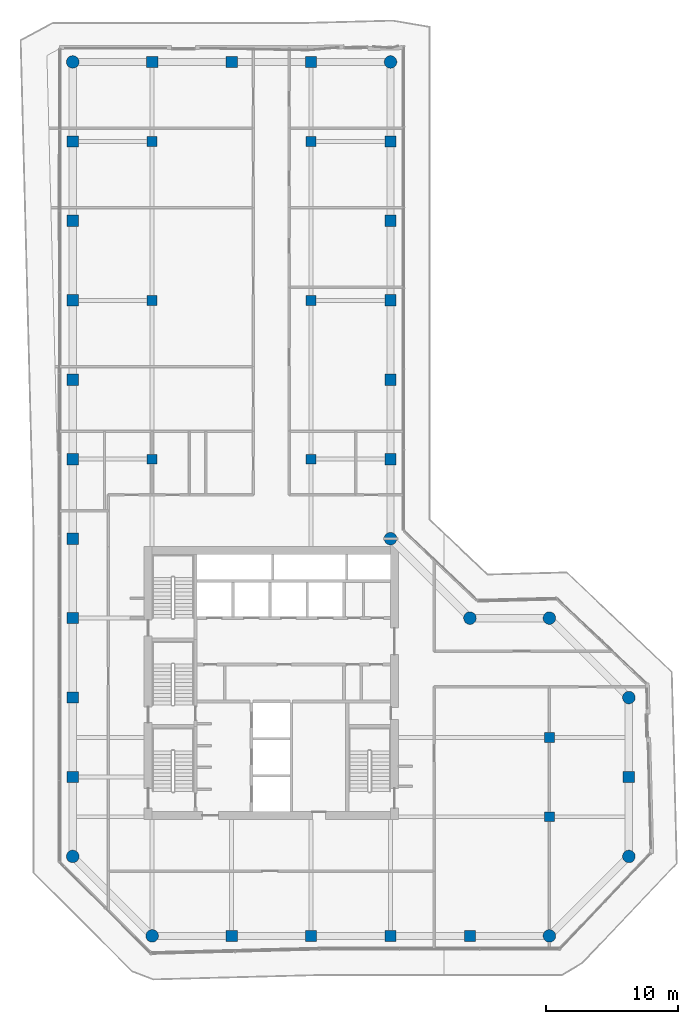
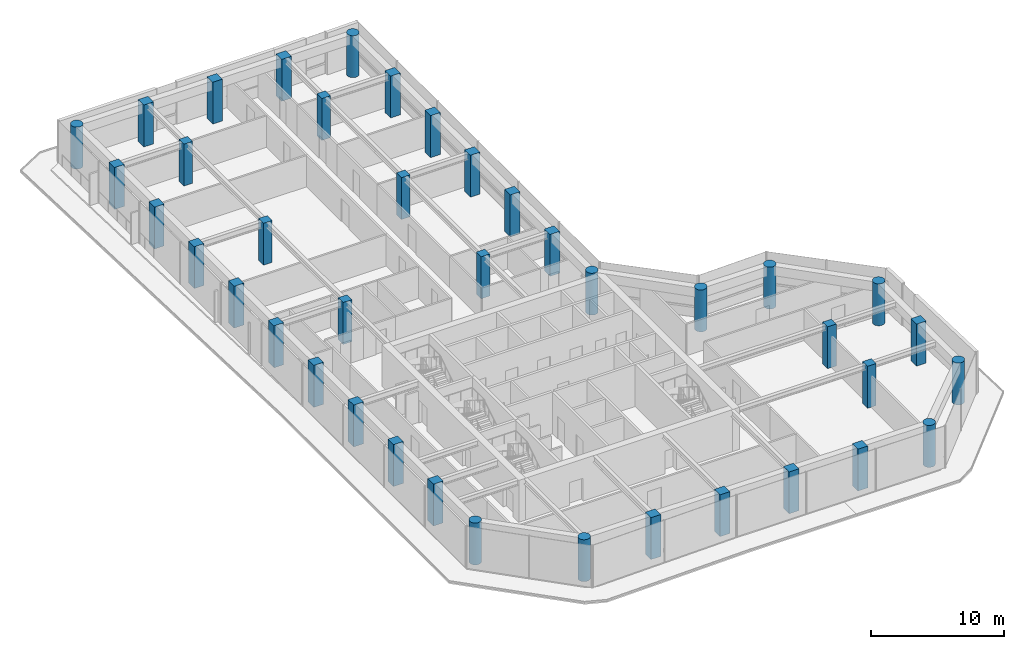
# One storey, part 1 of 20: 40 columns.
"""IFC4 building model written with IfcOpenShell, lengths in metres."""

from ifc_helpers import new_model, si_unit, direction, frame, origin, origin_2d, place, context, subcontext, project, spatial, rectangle, circle, extrude, material, material_profile, profile_set, type_object, element, save


model = new_model("IFC4")

# Units and contexts
model_context = context("Model", 3, precision=1e-05, world=origin(), true_north=direction((0.0, 1.0)))
body_context = subcontext(model_context, "Body", "Model", "MODEL_VIEW")
ifc_project = project(units=[si_unit("LENGTHUNIT", "METRE"), si_unit("AREAUNIT", "SQUARE_METRE"), si_unit("VOLUMEUNIT", "CUBIC_METRE"), si_unit("PLANEANGLEUNIT", "RADIAN"), si_unit("MASSUNIT", "GRAM", prefix="KILO")], contexts=[model_context])

# Site, building, storey
site_placement = place(None, origin())
site = spatial("IfcSite", under=ifc_project, at=site_placement, CompositionType="ELEMENT")
building_placement = place(site_placement, origin())
building = spatial("IfcBuilding", under=site, at=building_placement, Name="Welwitschia Terrace Campus", CompositionType="ELEMENT")
storey_placement = place(building_placement, frame((0.0, 0.0, 176.0)))
storey = spatial("IfcBuildingStorey", under=building, at=storey_placement, Name="L39", CompositionType="ELEMENT", Elevation=176.0)

# Columns
ifc_material_1 = material(Name="Concrete C50/60", Category="concrete")
ifc_material_profile_1 = material_profile(ifc_material_1, circle(Radius=0.47509765625, at=origin_2d()))
ifc_profile_set_1 = profile_set([ifc_material_profile_1], Name="Concrete C50/60")
column_type_1 = type_object("IfcColumnType", Name="Corner column 950 dia", PredefinedType="COLUMN", material=ifc_profile_set_1)
for number, where, z_axis, x_axis, name in (
    (1, (0.0, 2.0, 0.0), (0.0, 0.0, 1.0), (1.0, 0.0, 0.0), "Column C24"),
    (2, (0.0, 62.0, 0.0), (0.0, 0.0, 1.0), (1.0, 0.0, 0.0), "Column C24"),
    (3, (6.0, -4.0, 0.0), (0.0, 0.0, 1.0), (1.0, 0.0, 0.0), "Column C24"),
    (4, (24.0, 26.0, 0.0), (0.0, 0.0, 1.0), (1.0, 0.0, 0.0), "Column C24"),
    (5, (24.0, 62.0, 0.0), (0.0, 0.0, 1.0), (1.0, 0.0, 0.0), "Column C24"),
    (6, (30.0, 20.0, 0.0), (0.0, 0.0, 1.0), (1.0, 0.0, 0.0), "Column C24"),
    (7, (36.0, -4.0, 0.0), (0.0, 0.0, 1.0), (1.0, 0.0, 0.0), "Column C24"),
    (8, (36.0, 20.0, 0.0), (0.0, 0.0, 1.0), (1.0, 0.0, 0.0), "Column C24"),
    (9, (42.0, 2.0, 0.0), (0.0, 0.0, 1.0), (1.0, 0.0, 0.0), "Column C24"),
    (10, (42.0, 14.0, 0.0), (0.0, 0.0, 1.0), (1.0, 0.0, 0.0), "Column C24"),
):
    element("IfcColumn", number, at=place(storey_placement, frame(where, z_axis=z_axis, x_axis=x_axis)), inside=storey, type_object=column_type_1, Name=name, PredefinedType="COLUMN", context=body_context, shape_type="SweptSolid", body=[
        extrude(circle(Radius=0.47509765625, at=origin_2d()), origin(), (0.0, 0.0, 1.0), 3.85009765625),
    ])
ifc_material_2 = material(Name="Concrete C50/60", Category="concrete")
ifc_material_profile_2 = material_profile(ifc_material_2, rectangle(XDim=0.75, YDim=0.75, at=origin_2d()))
ifc_profile_set_2 = profile_set([ifc_material_profile_2], Name="Concrete C50/60")
column_type_2 = type_object("IfcColumnType", Name="Interior column 750x750", PredefinedType="COLUMN", material=ifc_profile_set_2)
for number, where, z_axis, x_axis, name in (
    (11, (6.0, 32.0, 0.0), (0.0, 0.0, 1.0), (1.0, 0.0, 0.0), "Column C25"),
    (12, (6.0, 44.0, 0.0), (0.0, 0.0, 1.0), (1.0, 0.0, 0.0), "Column C25"),
    (13, (6.0, 56.0, 0.0), (0.0, 0.0, 1.0), (1.0, 0.0, 0.0), "Column C25"),
    (14, (18.0, 32.0, 0.0), (0.0, 0.0, 1.0), (1.0, 0.0, 0.0), "Column C25"),
    (15, (18.0, 44.0, 0.0), (0.0, 0.0, 1.0), (1.0, 0.0, 0.0), "Column C25"),
    (16, (18.0, 56.0, 0.0), (0.0, 0.0, 1.0), (1.0, 0.0, 0.0), "Column C25"),
    (17, (36.0, 5.0, 0.0), (0.0, 0.0, 1.0), (1.0, 0.0, 0.0), "Column C25"),
    (18, (36.0, 11.0, 0.0), (0.0, 0.0, 1.0), (1.0, 0.0, 0.0), "Column C25"),
):
    element("IfcColumn", number, at=place(storey_placement, frame(where, z_axis=z_axis, x_axis=x_axis)), inside=storey, type_object=column_type_2, Name=name, PredefinedType="COLUMN", context=body_context, shape_type="SweptSolid", body=[
        extrude(rectangle(XDim=0.75, YDim=0.75, at=origin_2d()), origin(), (0.0, 0.0, 1.0), 3.85009765625),
    ])
ifc_material_3 = material(Name="Concrete C50/60", Category="concrete")
ifc_material_profile_3 = material_profile(ifc_material_3, rectangle(XDim=0.85009765625, YDim=0.85009765625, at=origin_2d()))
ifc_profile_set_3 = profile_set([ifc_material_profile_3], Name="Concrete C50/60")
column_type_3 = type_object("IfcColumnType", Name="Ring column 850x850", PredefinedType="COLUMN", material=ifc_profile_set_3)
for number, where, z_axis, x_axis, name in (
    (19, (0.0, 8.0, 0.0), (0.0, 0.0, 1.0), (1.0, 0.0, 0.0), "Column C23"),
    (20, (0.0, 14.0, 0.0), (0.0, 0.0, 1.0), (1.0, 0.0, 0.0), "Column C23"),
    (21, (0.0, 20.0, 0.0), (0.0, 0.0, 1.0), (1.0, 0.0, 0.0), "Column C23"),
    (22, (0.0, 26.0, 0.0), (0.0, 0.0, 1.0), (1.0, 0.0, 0.0), "Column C23"),
    (23, (0.0, 32.0, 0.0), (0.0, 0.0, 1.0), (1.0, 0.0, 0.0), "Column C23"),
    (24, (0.0, 38.0, 0.0), (0.0, 0.0, 1.0), (1.0, 0.0, 0.0), "Column C23"),
    (25, (0.0, 44.0, 0.0), (0.0, 0.0, 1.0), (1.0, 0.0, 0.0), "Column C23"),
    (26, (0.0, 50.0, 0.0), (0.0, 0.0, 1.0), (1.0, 0.0, 0.0), "Column C23"),
    (27, (0.0, 56.0, 0.0), (0.0, 0.0, 1.0), (1.0, 0.0, 0.0), "Column C23"),
    (28, (6.0, 62.0, 0.0), (0.0, 0.0, 1.0), (1.0, 0.0, 0.0), "Column C23"),
    (29, (12.0, -4.0, 0.0), (0.0, 0.0, 1.0), (1.0, 0.0, 0.0), "Column C23"),
    (30, (12.0, 62.0, 0.0), (0.0, 0.0, 1.0), (1.0, 0.0, 0.0), "Column C23"),
    (31, (18.0, -4.0, 0.0), (0.0, 0.0, 1.0), (1.0, 0.0, 0.0), "Column C23"),
    (32, (18.0, 62.0, 0.0), (0.0, 0.0, 1.0), (1.0, 0.0, 0.0), "Column C23"),
    (33, (24.0, -4.0, 0.0), (0.0, 0.0, 1.0), (1.0, 0.0, 0.0), "Column C23"),
    (34, (24.0, 32.0, 0.0), (0.0, 0.0, 1.0), (1.0, 0.0, 0.0), "Column C23"),
    (35, (24.0, 38.0, 0.0), (0.0, 0.0, 1.0), (1.0, 0.0, 0.0), "Column C23"),
    (36, (24.0, 44.0, 0.0), (0.0, 0.0, 1.0), (1.0, 0.0, 0.0), "Column C23"),
    (37, (24.0, 50.0, 0.0), (0.0, 0.0, 1.0), (1.0, 0.0, 0.0), "Column C23"),
    (38, (24.0, 56.0, 0.0), (0.0, 0.0, 1.0), (1.0, 0.0, 0.0), "Column C23"),
    (39, (30.0, -4.0, 0.0), (0.0, 0.0, 1.0), (1.0, 0.0, 0.0), "Column C23"),
    (40, (42.0, 8.0, 0.0), (0.0, 0.0, 1.0), (1.0, 0.0, 0.0), "Column C23"),
):
    element("IfcColumn", number, at=place(storey_placement, frame(where, z_axis=z_axis, x_axis=x_axis)), inside=storey, type_object=column_type_3, Name=name, PredefinedType="COLUMN", context=body_context, shape_type="SweptSolid", body=[
        extrude(rectangle(XDim=0.85009765625, YDim=0.85009765625, at=origin_2d()), origin(), (0.0, 0.0, 1.0), 3.85009765625),
    ])

save(model, "model.ifc")
